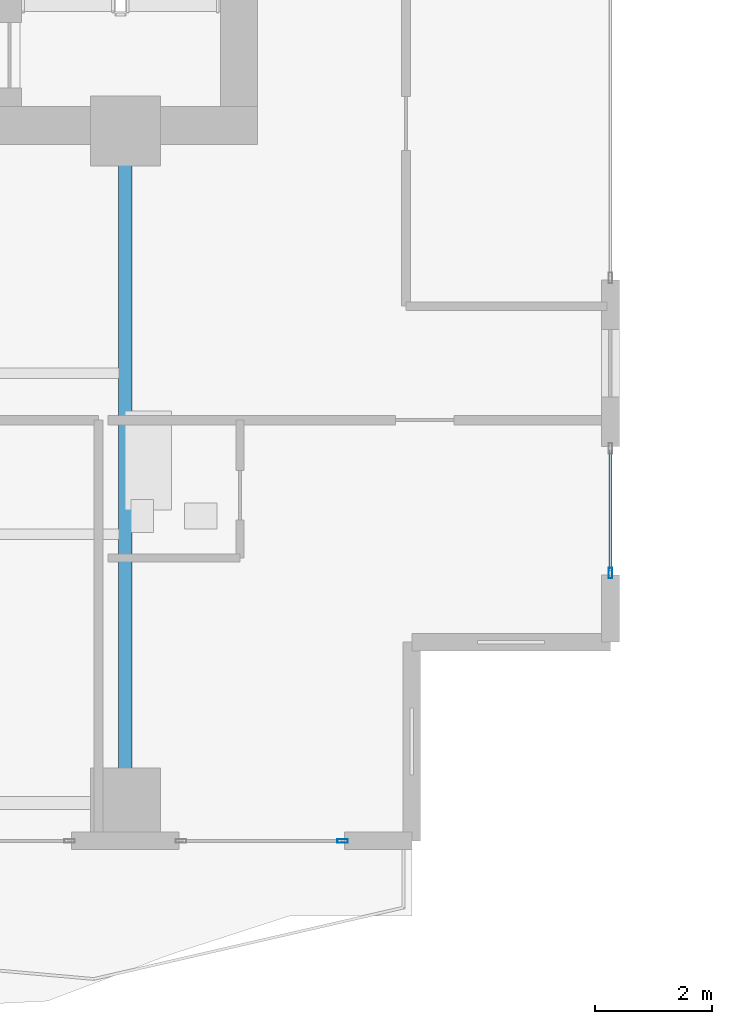
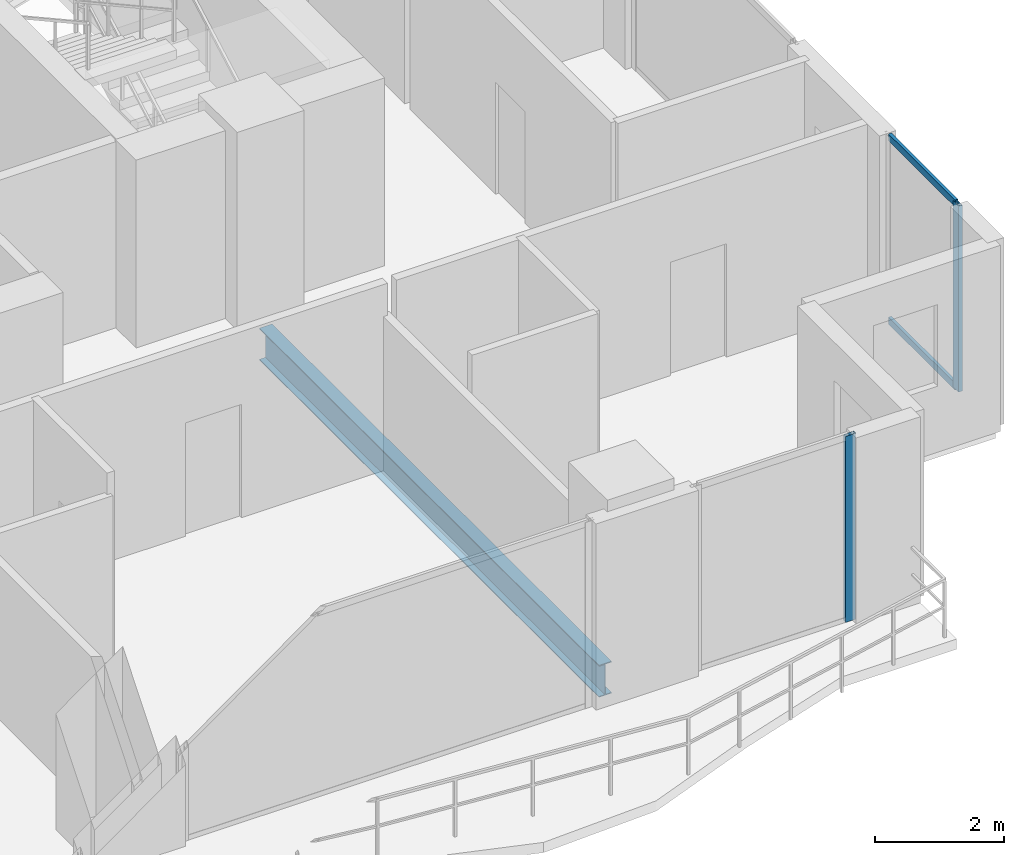
# One storey, part 10 of 32: 4 members, 1 beam, 2 elements without a shape of their own.
"""IFC4 building model written with IfcOpenShell, lengths in metres."""

from ifc_helpers import new_model, si_unit, direction, frame, origin, origin_2d, place, context, subcontext, project, spatial, hollow_rectangle, i_section, extrude, material, layer, layer_set, material_profile, profile_set, type_object, element, aggregate, save


model = new_model("IFC4")

# Units and contexts
model_context = context("Model", 3, precision=1e-05, world=origin(), true_north=direction((0.0, 1.0)))
body_context = subcontext(model_context, "Body", "Model", "MODEL_VIEW")
ifc_project = project(units=[si_unit("LENGTHUNIT", "METRE"), si_unit("AREAUNIT", "SQUARE_METRE"), si_unit("VOLUMEUNIT", "CUBIC_METRE"), si_unit("PLANEANGLEUNIT", "RADIAN"), si_unit("MASSUNIT", "GRAM", prefix="KILO")], contexts=[model_context])

# Site, building, storey
site_placement = place(None, origin())
site = spatial("IfcSite", under=ifc_project, at=site_placement, CompositionType="ELEMENT")
building_placement = place(site_placement, origin())
building = spatial("IfcBuilding", under=site, at=building_placement, Name="Zuhayl Quay Hotel", CompositionType="ELEMENT")
storey_placement = place(building_placement, frame((0.0, 0.0, 177.39990234375)))
storey = spatial("IfcBuildingStorey", under=building, at=storey_placement, Name="L44", CompositionType="ELEMENT", Elevation=177.39990234375)

# Beam
ifc_material_1 = material(Name="Steel ASTM A992 Grade 50", Category="steel")
ifc_material_profile_1 = material_profile(ifc_material_1, i_section(OverallWidth=0.22802734375, OverallDepth=0.60693359375, WebThickness=0.01123046875, FlangeThickness=0.017333984375, at=origin_2d()), Name="W24X76")
ifc_profile_set_1 = profile_set([ifc_material_profile_1], Name="Steel ASTM A992 Grade 50")
beam_type = type_object("IfcBeamType", Name="BM_B3_W24X76", PredefinedType="BEAM", material=ifc_profile_set_1)
beam_placement = place(storey_placement, frame((13.800048828125, -6.449951171875, -0.5234375), z_axis=(0.0, 1.0, 0.0), x_axis=(-1.0, 0.0, 0.0)))
element("IfcBeam", 1, at=beam_placement, inside=storey, type_object=beam_type, Name="L44 Floor Beam FG_S_L44_4", PredefinedType="BEAM", context=body_context, shape_type="SweptSolid", body=[
    extrude(i_section(OverallWidth=0.22802734375, OverallDepth=0.60693359375, WebThickness=0.01123046875, FlangeThickness=0.017333984375, at=origin_2d()), origin(), (0.0, 0.0, 1.0), 10.550048828125),
])

# Curtain wall, member
ifc_material_2 = material(Name="Anodised Aluminium 6063-T6", Category="aluminium")
ifc_layer = layer(ifc_material_2, 0.175048828125, Name="Anodised Aluminium 6063-T6", Category="aluminium")
ifc_layer_set = layer_set([ifc_layer], Name="Anodised Aluminium 6063-T6")
curtain_wall_type = type_object("IfcCurtainWallType", Name="CW_SYS_Z3", PredefinedType="USERDEFINED", material=ifc_layer_set)
curtain_wall_1_placement = place(storey_placement, origin())
curtain_wall_1 = element("IfcCurtainWall", 2, at=curtain_wall_1_placement, inside=storey, type_object=curtain_wall_type, Name="L44 Curtain Wall ENV_L44_E14_CW2", ObjectType="UNITISED CURTAIN WALL", PredefinedType="USERDEFINED")
ifc_material_3 = material(Name="Black-anodised aluminium 6063-T6", Category="aluminium")
ifc_material_profile_2 = material_profile(ifc_material_3, hollow_rectangle(XDim=0.06494140625, YDim=0.179931640625, WallThickness=0.00341796875, at=origin_2d()), Name="ALU180X65")
ifc_profile_set_2 = profile_set([ifc_material_profile_2], Name="Black-anodised aluminium 6063-T6")
member_type_1 = type_object("IfcMemberType", Name="MB_CW_MUL_180", PredefinedType="MULLION", material=ifc_profile_set_2)
member_1_placement = place(storey_placement, frame((22.10009765625, -3.017578125, 0.0), z_axis=(0.0, 0.0, 1.0), x_axis=(1.0, 0.0, 0.0)))
member_1 = element("IfcMember", 3, at=member_1_placement, type_object=member_type_1, Name="CW-Z3 mullion 2", PredefinedType="MULLION", context=body_context, shape_type="SweptSolid", body=[
    extrude(hollow_rectangle(XDim=0.06494140625, YDim=0.179931640625, WallThickness=0.00341796875, at=origin_2d()), origin(), (0.0, 0.0, 1.0), 3.530029296875),
])

curtain_wall_2_placement = place(storey_placement, origin())
curtain_wall_2 = element("IfcCurtainWall", 4, at=curtain_wall_2_placement, inside=storey, type_object=curtain_wall_type, Name="L44 Curtain Wall ENV_L44_S_CW1", ObjectType="UNITISED CURTAIN WALL", PredefinedType="USERDEFINED")
member_2_placement = place(storey_placement, frame((17.517578125, -7.60009765625, 0.0), z_axis=(0.0, 0.0, 1.0), x_axis=(0.0, -1.0, 0.0)))
member_2 = element("IfcMember", 5, at=member_2_placement, type_object=member_type_1, Name="CW-Z3 mullion 1", PredefinedType="MULLION", context=body_context, shape_type="SweptSolid", body=[
    extrude(hollow_rectangle(XDim=0.06494140625, YDim=0.179931640625, WallThickness=0.00341796875, at=origin_2d()), origin(), (0.0, 0.0, 1.0), 3.530029296875),
])
aggregate(curtain_wall_2, [member_2])

# Member
ifc_material_profile_3 = material_profile(ifc_material_3, hollow_rectangle(XDim=0.054931640625, YDim=0.1298828125, WallThickness=0.0029296875, at=origin_2d()), Name="ALU130X55")
ifc_profile_set_3 = profile_set([ifc_material_profile_3], Name="Black-anodised aluminium 6063-T6")
member_type_2 = type_object("IfcMemberType", Name="MB_CW_TRN_130", PredefinedType="USERDEFINED", material=ifc_profile_set_3)
member_3_placement = place(storey_placement, frame((22.10009765625, -0.9150390625, 0.027587890625), z_axis=(0.0, -1.0, 0.0), x_axis=(1.0, 0.0, 0.0)))
member_3 = element("IfcMember", 6, at=member_3_placement, type_object=member_type_2, Name="CW-Z3 transom 1.1", ObjectType="TRANSOM", PredefinedType="USERDEFINED", context=body_context, shape_type="SweptSolid", body=[
    extrude(hollow_rectangle(XDim=0.054931640625, YDim=0.1298828125, WallThickness=0.0029296875, at=origin_2d()), origin(), (0.0, 0.0, 1.0), 2.070068359375),
])

member_4_placement = place(storey_placement, frame((22.10009765625, -0.9150390625, 3.502685546875), z_axis=(0.0, -1.0, 0.0), x_axis=(1.0, 0.0, 0.0)))
member_4 = element("IfcMember", 7, at=member_4_placement, type_object=member_type_2, Name="CW-Z3 transom 1.2", ObjectType="TRANSOM", PredefinedType="USERDEFINED", context=body_context, shape_type="SweptSolid", body=[
    extrude(hollow_rectangle(XDim=0.054931640625, YDim=0.1298828125, WallThickness=0.0029296875, at=origin_2d()), origin(), (0.0, 0.0, 1.0), 2.070068359375),
])

aggregate(curtain_wall_1, [member_1, member_3, member_4])

save(model, "model.ifc")
